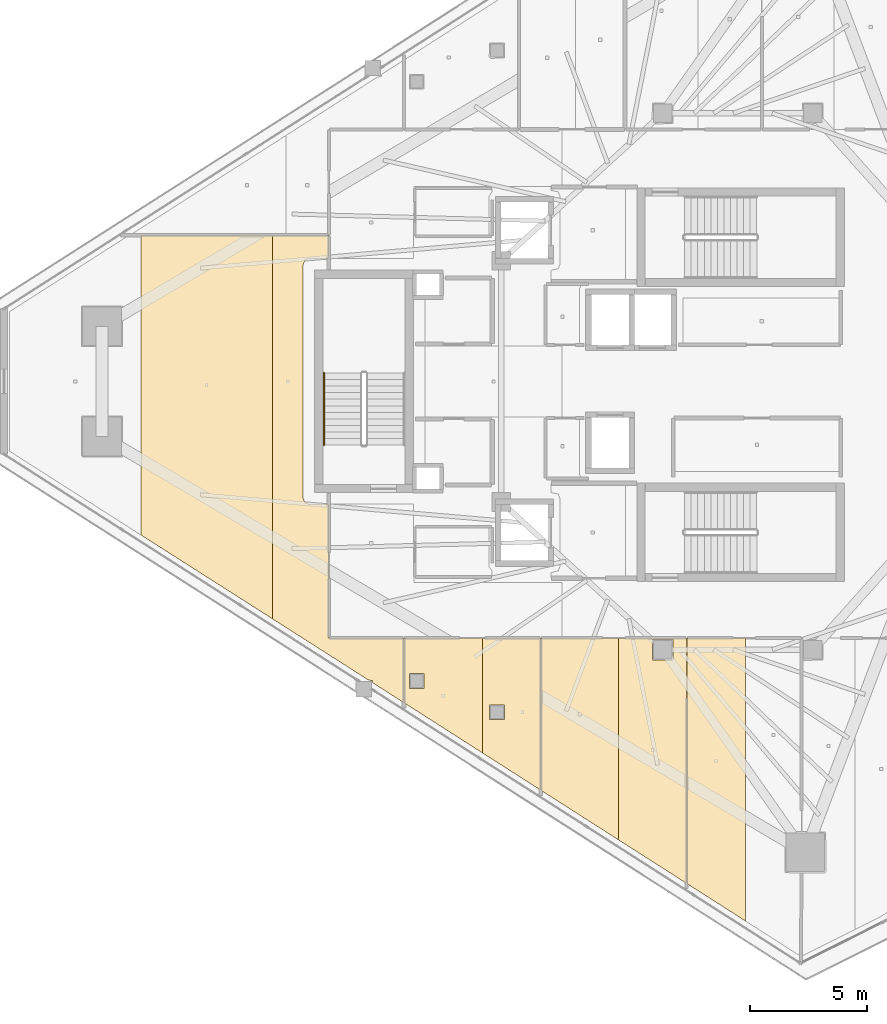
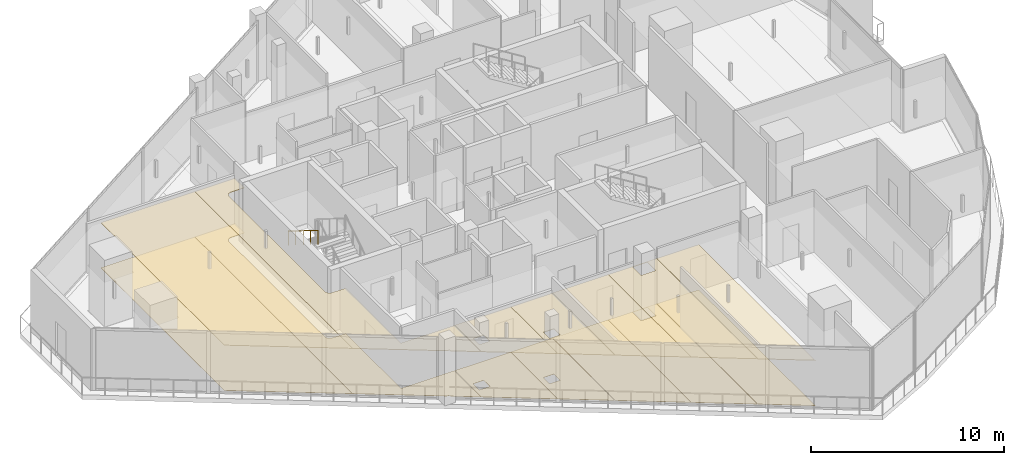
# One storey, part 28 of 33: 14 coverings, 1 railing.
"""IFC4 building model written with IfcOpenShell, lengths in metres."""

from ifc_helpers import new_model, si_unit, direction, frame, origin, origin_2d, place, context, subcontext, project, spatial, polyline, circle, outline, extrude, material, layer, layer_set, type_object, element, save


model = new_model("IFC4")

# Units and contexts
model_context = context("Model", 3, precision=1e-05, world=origin(), true_north=direction((0.0, 1.0)))
body_context = subcontext(model_context, "Body", "Model", "MODEL_VIEW")
ifc_project = project(units=[si_unit("LENGTHUNIT", "METRE"), si_unit("AREAUNIT", "SQUARE_METRE"), si_unit("VOLUMEUNIT", "CUBIC_METRE"), si_unit("PLANEANGLEUNIT", "RADIAN"), si_unit("MASSUNIT", "GRAM", prefix="KILO")], contexts=[model_context])

# Site, building, storey
site_placement = place(None, origin())
site = spatial("IfcSite", under=ifc_project, at=site_placement, CompositionType="ELEMENT")
building_placement = place(site_placement, origin())
building = spatial("IfcBuilding", under=site, at=building_placement, Name="Qorvath Tower", CompositionType="ELEMENT")
storey_placement = place(building_placement, frame((0.0, 0.0, 280.800048828125)))
storey = spatial("IfcBuildingStorey", under=building, at=storey_placement, Name="L65", CompositionType="ELEMENT", Elevation=280.800048828125)

# Coverings
ifc_material_1 = material(Name="Acoustic mineral fibre ceiling tile", Category="gypsum")
ifc_layer_1 = layer(ifc_material_1, 0.030029296875)
ifc_layer_set_1 = layer_set([ifc_layer_1], Name="COV-CEIL")
covering_type_1 = type_object("IfcCoveringType", Name="COV-CEIL", PredefinedType="CEILING", material=ifc_layer_set_1)
covering_1_placement = place(storey_placement, frame((0.0, 0.0, 2.849853515625)))
element("IfcCovering", 1, at=covering_1_placement, inside=storey, type_object=covering_type_1, Name="L65 Suspended Acoustic Ceiling 021", PredefinedType="CEILING", context=body_context, shape_type="SweptSolid", body=[
    extrude(outline(polyline([(-34.64501953125, -10.962890625), (-34.64501953125, -13.718505859375), (-31.30615234375, -15.852294921875), (-31.30615234375, -10.962890625), (-34.64501953125, -10.962890625)]), holes=[polyline([(-34.421630859375, -13.10986328125), (-34.421630859375, -12.47509765625), (-33.786865234375, -12.47509765625), (-33.786865234375, -13.10986328125), (-34.421630859375, -13.10986328125)])]), origin(), (0.0, 0.0, 1.0), 0.030029296875),
])
covering_2_placement = place(storey_placement, frame((0.0, 0.0, 2.849853515625)))
element("IfcCovering", 2, at=covering_2_placement, inside=storey, type_object=covering_type_1, Name="L65 Suspended Acoustic Ceiling 022", PredefinedType="CEILING", context=body_context, shape_type="SweptSolid", body=[
    extrude(outline(polyline([(-31.30615234375, -10.962890625), (-31.30615234375, -15.852294921875), (-28.816162109375, -17.44384765625), (-28.816162109375, -10.962890625), (-31.30615234375, -10.962890625)]), holes=[polyline([(-30.99462890625, -14.441650390625), (-30.99462890625, -13.806884765625), (-30.35986328125, -13.806884765625), (-30.35986328125, -14.441650390625), (-30.99462890625, -14.441650390625)])]), origin(), (0.0, 0.0, 1.0), 0.030029296875),
])
covering_3_placement = place(storey_placement, frame((0.0, 0.0, 2.849853515625)))
element("IfcCovering", 3, at=covering_3_placement, inside=storey, type_object=covering_type_1, Name="L65 Suspended Acoustic Ceiling 023", PredefinedType="CEILING", context=body_context, shape_type="SweptSolid", body=[
    extrude(outline(polyline([(-28.798095703125, -10.962890625), (-28.798095703125, -17.455322265625), (-25.481201171875, -19.575439453125), (-25.481201171875, -10.962890625), (-28.798095703125, -10.962890625)])), origin(), (0.0, 0.0, 1.0), 0.030029296875),
])
covering_4_placement = place(storey_placement, frame((0.0, 0.0, 2.849853515625)))
element("IfcCovering", 4, at=covering_4_placement, inside=storey, type_object=covering_type_1, Name="L65 Suspended Acoustic Ceiling 024", PredefinedType="CEILING", context=body_context, shape_type="SweptSolid", body=[
    extrude(outline(polyline([(-25.481201171875, -10.962890625), (-25.481201171875, -19.575439453125), (-22.592041015625, -21.421875), (-22.592041015625, -10.962890625), (-25.481201171875, -10.962890625)]), holes=[polyline([(-24.04248046875, -11.892333984375), (-24.04248046875, -11.007568359375), (-23.157470703125, -11.007568359375), (-23.157470703125, -11.892333984375), (-24.04248046875, -11.892333984375)])]), origin(), (0.0, 0.0, 1.0), 0.030029296875),
])
covering_5_placement = place(storey_placement, frame((0.0, 0.0, 2.849853515625)))
element("IfcCovering", 5, at=covering_5_placement, inside=storey, type_object=covering_type_1, Name="L65 Suspended Acoustic Ceiling 025", PredefinedType="CEILING", context=body_context, shape_type="SweptSolid", body=[
    extrude(outline(polyline([(-22.573974609375, -21.433349609375), (-20.06689453125, -23.035888671875), (-20.06689453125, -10.962890625), (-22.573974609375, -10.962890625), (-22.573974609375, -21.433349609375)])), origin(), (0.0, 0.0, 1.0), 0.030029296875),
])
covering_6_placement = place(storey_placement, frame((0.0, 0.0, 2.849853515625)))
element("IfcCovering", 6, at=covering_6_placement, inside=storey, type_object=covering_type_1, Name="L65 Suspended Acoustic Ceiling 040", PredefinedType="CEILING", context=body_context, shape_type="SweptSolid", body=[
    extrude(outline(polyline([(-45.876953125, 6.234619140625), (-45.876953125, -6.554443359375), (-40.27001953125, -10.129638671875), (-40.27001953125, 6.234619140625), (-45.876953125, 6.234619140625)])), origin(), (0.0, 0.0, 1.0), 0.030029296875),
])
covering_7_placement = place(storey_placement, frame((0.0, 0.0, 2.849853515625)))
element("IfcCovering", 7, at=covering_7_placement, inside=storey, type_object=covering_type_1, Name="L65 Suspended Acoustic Ceiling 041", PredefinedType="CEILING", context=body_context, shape_type="SweptSolid", body=[
    extrude(outline(polyline([(-40.27001953125, 6.234619140625), (-40.27001953125, -10.129638671875), (-36.159423828125, -12.75048828125), (-35.997314453125, -12.76806640625), (-35.979736328125, -12.865478515625), (-34.6630859375, -13.70703125), (-34.6630859375, -10.962890625), (-37.861572265625, -10.96142578125), (-37.863037109375, -5.239990234375), (-38.699951171875, -5.239990234375), (-38.876708984375, -5.166748046875), (-38.949951171875, -4.989990234375), (-38.949951171875, 4.989990234375), (-38.876708984375, 5.166748046875), (-38.699951171875, 5.239990234375), (-37.863037109375, 5.239990234375), (-37.863037109375, 6.234619140625), (-40.27001953125, 6.234619140625)])), origin(), (0.0, 0.0, 1.0), 0.030029296875),
])
ifc_material_2 = material(Name="Low-VOC modular carpet tile", Category="textile")
ifc_layer_2 = layer(ifc_material_2, 0.014892578125)
ifc_layer_set_2 = layer_set([ifc_layer_2], Name="COV-FLOOR-CPT")
covering_type_2 = type_object("IfcCoveringType", Name="COV-FLOOR-CPT", PredefinedType="FLOORING", material=ifc_layer_set_2)
covering_8_placement = place(storey_placement, origin())
element("IfcCovering", 8, at=covering_8_placement, inside=storey, type_object=covering_type_2, Name="L65 Floor Finish 021", PredefinedType="FLOORING", context=body_context, shape_type="SweptSolid", body=[
    extrude(outline(polyline([(-34.64501953125, -10.962890625), (-34.64501953125, -13.718505859375), (-31.30615234375, -15.852294921875), (-31.30615234375, -10.962890625), (-34.64501953125, -10.962890625)]), holes=[polyline([(-34.421630859375, -13.10986328125), (-34.421630859375, -12.47509765625), (-33.786865234375, -12.47509765625), (-33.786865234375, -13.10986328125), (-34.421630859375, -13.10986328125)])]), origin(), (0.0, 0.0, 1.0), 0.014892578125),
])
covering_9_placement = place(storey_placement, origin())
element("IfcCovering", 9, at=covering_9_placement, inside=storey, type_object=covering_type_2, Name="L65 Floor Finish 022", PredefinedType="FLOORING", context=body_context, shape_type="SweptSolid", body=[
    extrude(outline(polyline([(-31.30615234375, -10.962890625), (-31.30615234375, -15.852294921875), (-28.816162109375, -17.44384765625), (-28.816162109375, -10.962890625), (-31.30615234375, -10.962890625)]), holes=[polyline([(-30.99462890625, -14.441650390625), (-30.99462890625, -13.806884765625), (-30.35986328125, -13.806884765625), (-30.35986328125, -14.441650390625), (-30.99462890625, -14.441650390625)])]), origin(), (0.0, 0.0, 1.0), 0.014892578125),
])
covering_10_placement = place(storey_placement, origin())
element("IfcCovering", 10, at=covering_10_placement, inside=storey, type_object=covering_type_2, Name="L65 Floor Finish 023", PredefinedType="FLOORING", context=body_context, shape_type="SweptSolid", body=[
    extrude(outline(polyline([(-28.798095703125, -10.962890625), (-28.798095703125, -17.455322265625), (-25.481201171875, -19.575439453125), (-25.481201171875, -10.962890625), (-28.798095703125, -10.962890625)])), origin(), (0.0, 0.0, 1.0), 0.014892578125),
])
covering_11_placement = place(storey_placement, origin())
element("IfcCovering", 11, at=covering_11_placement, inside=storey, type_object=covering_type_2, Name="L65 Floor Finish 024", PredefinedType="FLOORING", context=body_context, shape_type="SweptSolid", body=[
    extrude(outline(polyline([(-25.481201171875, -10.962890625), (-25.481201171875, -19.575439453125), (-22.592041015625, -21.421875), (-22.592041015625, -10.962890625), (-25.481201171875, -10.962890625)]), holes=[polyline([(-24.04248046875, -11.892333984375), (-24.04248046875, -11.007568359375), (-23.157470703125, -11.007568359375), (-23.157470703125, -11.892333984375), (-24.04248046875, -11.892333984375)])]), origin(), (0.0, 0.0, 1.0), 0.014892578125),
])
covering_12_placement = place(storey_placement, origin())
element("IfcCovering", 12, at=covering_12_placement, inside=storey, type_object=covering_type_2, Name="L65 Floor Finish 025", PredefinedType="FLOORING", context=body_context, shape_type="SweptSolid", body=[
    extrude(outline(polyline([(-22.573974609375, -21.433349609375), (-20.06689453125, -23.035888671875), (-20.06689453125, -10.962890625), (-22.573974609375, -10.962890625), (-22.573974609375, -21.433349609375)])), origin(), (0.0, 0.0, 1.0), 0.014892578125),
])
covering_13_placement = place(storey_placement, origin())
element("IfcCovering", 13, at=covering_13_placement, inside=storey, type_object=covering_type_2, Name="L65 Floor Finish 040", PredefinedType="FLOORING", context=body_context, shape_type="SweptSolid", body=[
    extrude(outline(polyline([(-45.876953125, 6.234619140625), (-45.876953125, -6.554443359375), (-40.27001953125, -10.129638671875), (-40.27001953125, 6.234619140625), (-45.876953125, 6.234619140625)])), origin(), (0.0, 0.0, 1.0), 0.014892578125),
])
covering_14_placement = place(storey_placement, origin())
element("IfcCovering", 14, at=covering_14_placement, inside=storey, type_object=covering_type_2, Name="L65 Floor Finish 041", PredefinedType="FLOORING", context=body_context, shape_type="SweptSolid", body=[
    extrude(outline(polyline([(-40.27001953125, 6.234619140625), (-40.27001953125, -10.129638671875), (-36.159423828125, -12.75048828125), (-35.997314453125, -12.76806640625), (-35.979736328125, -12.865478515625), (-34.6630859375, -13.70703125), (-34.6630859375, -10.962890625), (-37.861572265625, -10.96142578125), (-37.863037109375, -5.239990234375), (-38.699951171875, -5.239990234375), (-38.876708984375, -5.166748046875), (-38.949951171875, -4.989990234375), (-38.949951171875, 4.989990234375), (-38.876708984375, 5.166748046875), (-38.699951171875, 5.239990234375), (-37.863037109375, 5.239990234375), (-37.863037109375, 6.234619140625), (-40.27001953125, 6.234619140625)])), origin(), (0.0, 0.0, 1.0), 0.014892578125),
])

# Railing
ifc_material_3 = material(Name="Brushed stainless steel AISI 304", Category="steel")
railing_type = type_object("IfcRailingType", Name="RL-STR-HND", PredefinedType="HANDRAIL", material=ifc_material_3)
railing_placement = place(storey_placement, frame((-38.06005859375, 0.360107421875, 2.27490234375)))
element("IfcRailing", 15, at=railing_placement, inside=storey, type_object=railing_type, Name="L65 TS3 stair handrail 2", PredefinedType="HANDRAIL", context=body_context, shape_type="SweptSolid", body=[
    extrude(circle(Radius=0.02392578125, at=origin_2d()), frame((0.0, 0.0, 0.8759765625), z_axis=(0.0, -0.847998304005, 0.529998940003), x_axis=(1.0, 0.0, 0.0)), (0.0, 0.0, 1.0), 3.632080078125),
    extrude(circle(Radius=0.02099609375, at=origin_2d()), origin(), (0.0, 0.0, 1.0), 0.851806640625),
    extrude(circle(Radius=0.02099609375, at=origin_2d()), frame((0.0, -0.77001953125, 0.481201171875)), (0.0, 0.0, 1.0), 0.851806640625),
    extrude(circle(Radius=0.02099609375, at=origin_2d()), frame((0.0, -1.5400390625, 0.96240234375)), (0.0, 0.0, 1.0), 0.851806640625),
    extrude(circle(Radius=0.02099609375, at=origin_2d()), frame((0.0, -2.31005859375, 1.44384765625)), (0.0, 0.0, 1.0), 0.851806640625),
    extrude(circle(Radius=0.02099609375, at=origin_2d()), frame((0.0, -3.080078125, 1.925048828125)), (0.0, 0.0, 1.0), 0.851806640625),
])

save(model, "model.ifc")
